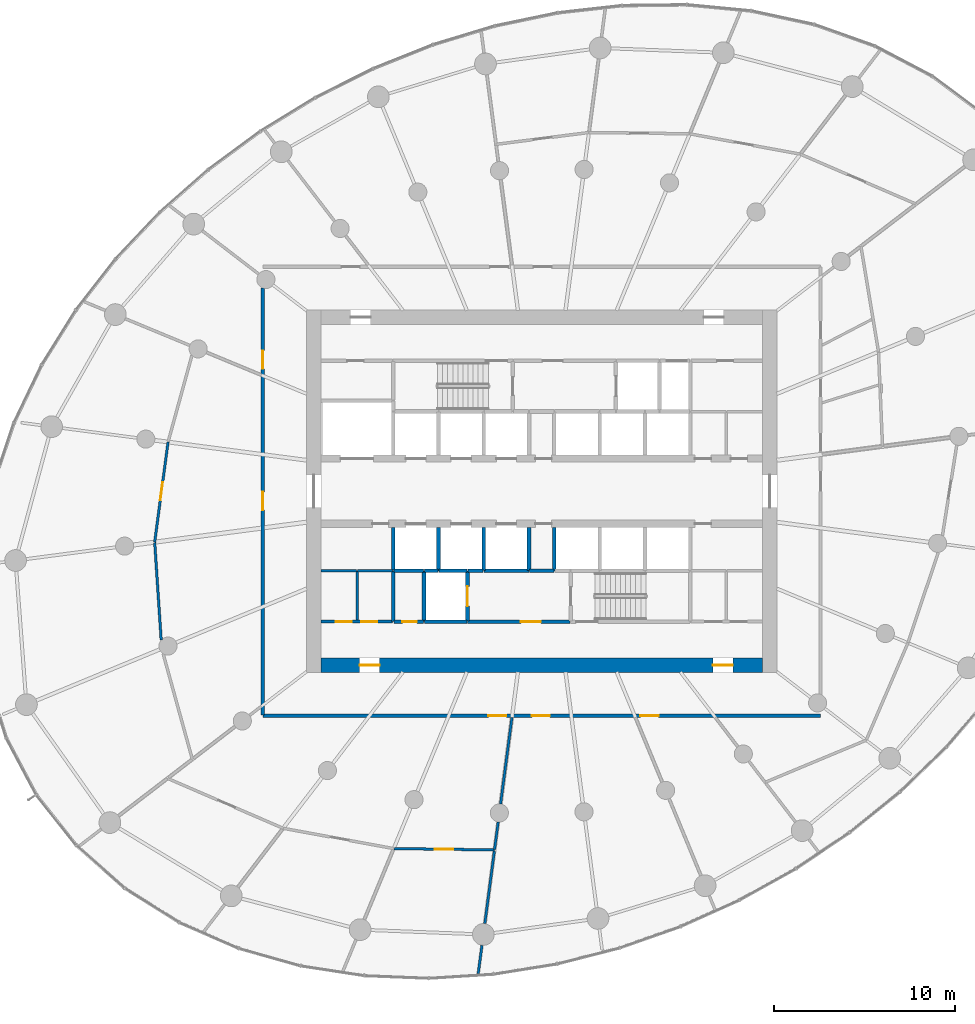
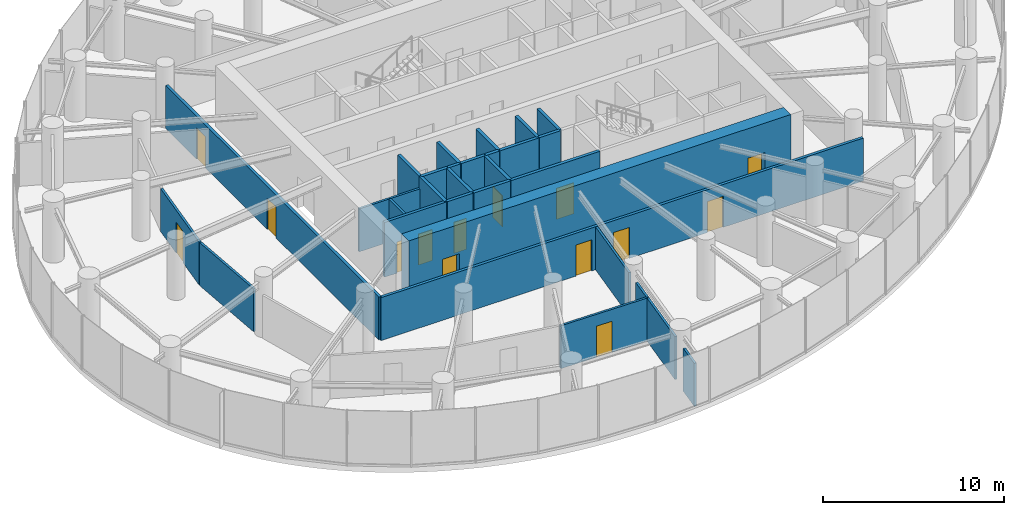
# One storey, part 10 of 17: 31 walls, 14 doors, 14 openings.
"""IFC4 building model written with IfcOpenShell, lengths in metres."""

from ifc_helpers import new_model, si_unit, direction, frame, frame_2d, origin, place, context, subcontext, project, spatial, rectangle, extrude, source, transform, mapped, material, layer, layer_set, type_object, element, fill, save


model = new_model("IFC4")

# Units and contexts
model_context = context("Model", 3, precision=1e-05, world=origin(), true_north=direction((0.0, 1.0)))
body_context = subcontext(model_context, "Body", "Model", "MODEL_VIEW")
ifc_project = project(units=[si_unit("LENGTHUNIT", "METRE"), si_unit("AREAUNIT", "SQUARE_METRE"), si_unit("VOLUMEUNIT", "CUBIC_METRE"), si_unit("PLANEANGLEUNIT", "RADIAN"), si_unit("MASSUNIT", "GRAM", prefix="KILO")], contexts=[model_context])

# Site, building, storey
site_placement = place(None, origin())
site = spatial("IfcSite", under=ifc_project, at=site_placement, CompositionType="ELEMENT")
building_placement = place(site_placement, origin())
building = spatial("IfcBuilding", under=site, at=building_placement, Name="Spindrift Exchange Tower", CompositionType="ELEMENT")
storey_placement = place(building_placement, frame((0.0, 0.0, 112.60009765625)))
storey = spatial("IfcBuildingStorey", under=building, at=storey_placement, Name="L26", CompositionType="ELEMENT", Elevation=112.60009765625)

# Wall, openings, doors
ifc_material_1 = material(Name="Concrete 65 MPa", Category="concrete")
ifc_layer_1 = layer(ifc_material_1, 0.800048828125)
ifc_layer_set_1 = layer_set([ifc_layer_1], Name="RC Core Wall 800 Concrete 65 MPa")
wall_type_1 = type_object("IfcWallType", Name="RC Core Wall 800 Concrete 65 MPa", PredefinedType="SHEAR", material=ifc_layer_set_1)
wall_1_placement = place(storey_placement, frame((39.800048828125, 38.39990234375, 0.0), z_axis=(0.0, 0.0, 1.0), x_axis=(1.0, 0.0, 0.0)))
wall_1 = element("IfcWall", 1, at=wall_1_placement, inside=storey, type_object=wall_type_1, Name="Core wall S L26", PredefinedType="SHEAR", context=body_context, shape_type="SweptSolid", body=[
    extrude(rectangle(XDim=24.39990234375, YDim=0.800048828125, at=frame_2d((12.199951171875, 0.0))), origin(), (0.0, 0.0, 1.0), 4.099853515625),
])
opening_1_placement = place(wall_1_placement, frame((21.64990234375, 0.0, 0.0)))
opening_1 = element("IfcOpeningElement", 2, at=opening_1_placement, cuts=wall_1, Name="Opening L26-D22", PredefinedType="OPENING", context=body_context, shape_type="SweptSolid", body=[
    extrude(rectangle(XDim=1.10009765625, YDim=2.10009765625, at=frame_2d((0.550048828125, 1.050048828125))), frame((0.0, 0.409912109375, 0.0), z_axis=(0.0, -1.0, 0.0), x_axis=(1.0, 0.0, 0.0)), (0.0, 0.0, 1.0), 0.820068359375),
])
opening_2_placement = place(wall_1_placement, frame((2.14990234375, 0.0, 0.0)))
opening_2 = element("IfcOpeningElement", 3, at=opening_2_placement, cuts=wall_1, Name="Opening L26-D23", PredefinedType="OPENING", context=body_context, shape_type="SweptSolid", body=[
    extrude(rectangle(XDim=1.10009765625, YDim=2.10009765625, at=frame_2d((0.550048828125, 1.050048828125))), frame((0.0, 0.409912109375, 0.0), z_axis=(0.0, -1.0, 0.0), x_axis=(1.0, 0.0, 0.0)), (0.0, 0.0, 1.0), 0.820068359375),
])
ifc_material_2 = material(Name="Steel fire door", Category="steel")
door_type_1 = type_object("IfcDoorType", Name="DR-STAIR-1100", OperationType="NOTDEFINED", PredefinedType="DOOR", material=ifc_material_2)
shared_shape_1 = source(origin(), body_context, "Body", "SweptSolid", [
    extrude(rectangle(XDim=1.10009765625, YDim=2.10009765625, at=frame_2d((0.550048828125, 1.050048828125))), frame((0.0, 0.02490234375, 0.0), z_axis=(0.0, -1.0, 0.0), x_axis=(1.0, 0.0, 0.0)), (0.0, 0.0, 1.0), 0.050048828125),
])
door_1_placement = place(opening_1_placement, origin())
door_1 = element("IfcDoor", 4, at=door_1_placement, inside=storey, type_object=door_type_1, Name="L26 Stair door 22", OperationType="SINGLE_SWING_RIGHT", OverallHeight=2.10009765625, OverallWidth=1.10009765625, PredefinedType="DOOR", context=body_context, shape_type="MappedRepresentation", body=[
    mapped(shared_shape_1, transform((0.0, 0.0, 0.0), scale=1.0)),
])
fill(opening_1, door_1)
door_2_placement = place(opening_2_placement, origin())
door_2 = element("IfcDoor", 5, at=door_2_placement, inside=storey, type_object=door_type_1, Name="L26 Stair door 23", OperationType="SINGLE_SWING_LEFT", OverallHeight=2.10009765625, OverallWidth=1.10009765625, PredefinedType="DOOR", context=body_context, shape_type="MappedRepresentation", body=[
    mapped(shared_shape_1, transform((0.0, 0.0, 0.0), scale=1.0)),
])
fill(opening_2, door_2)

ifc_material_3 = material(Name="Fire-rated plasterboard partition", Category="gypsum")
ifc_layer_2 = layer(ifc_material_3, 0.179931640625)
ifc_layer_set_2 = layer_set([ifc_layer_2], Name="W-CORR-180")
wall_type_2 = type_object("IfcWallType", Name="W-CORR-180", PredefinedType="PARTITIONING", material=ifc_layer_set_2)
wall_2_placement = place(storey_placement, frame((39.820068359375, 40.800048828125, 0.0), z_axis=(0.0, 0.0, 1.0), x_axis=(1.0, 0.0, 0.0)))
wall_2 = element("IfcWall", 6, at=wall_2_placement, inside=storey, type_object=wall_type_2, Name="L26 Partition wall 63", PredefinedType="PARTITIONING", context=body_context, shape_type="SweptSolid", body=[
    extrude(rectangle(XDim=3.949951171875, YDim=0.179931640625, at=frame_2d((1.97509765625, 0.0))), origin(), (0.0, 0.0, 1.0), 3.699951171875),
])
opening_3_placement = place(wall_2_placement, frame((0.800048828125, 0.0, 0.0)))
opening_3 = element("IfcOpeningElement", 7, at=opening_3_placement, cuts=wall_2, Name="Opening L26-D47", PredefinedType="OPENING", context=body_context, shape_type="SweptSolid", body=[
    extrude(rectangle(XDim=0.89990234375, YDim=2.10009765625, at=frame_2d((0.449951171875, 1.050048828125))), frame((0.0, 0.099853515625, 0.0), z_axis=(0.0, -1.0, 0.0), x_axis=(1.0, 0.0, 0.0)), (0.0, 0.0, 1.0), 0.199951171875),
])
opening_4_placement = place(wall_2_placement, frame((2.199951171875, 0.0, 0.0)))
opening_4 = element("IfcOpeningElement", 8, at=opening_4_placement, cuts=wall_2, Name="Opening L26-D48", PredefinedType="OPENING", context=body_context, shape_type="SweptSolid", body=[
    extrude(rectangle(XDim=0.89990234375, YDim=2.10009765625, at=frame_2d((0.449951171875, 1.050048828125))), frame((0.0, 0.099853515625, 0.0), z_axis=(0.0, -1.0, 0.0), x_axis=(1.0, 0.0, 0.0)), (0.0, 0.0, 1.0), 0.199951171875),
])
ifc_material_4 = material(Name="Steel access door", Category="steel")
door_type_2 = type_object("IfcDoorType", Name="DR-RISER-900", OperationType="NOTDEFINED", PredefinedType="DOOR", material=ifc_material_4)
shared_shape_2 = source(origin(), body_context, "Body", "SweptSolid", [
    extrude(rectangle(XDim=0.89990234375, YDim=2.10009765625, at=frame_2d((0.449951171875, 1.050048828125))), frame((0.0, 0.02490234375, 0.0), z_axis=(0.0, -1.0, 0.0), x_axis=(1.0, 0.0, 0.0)), (0.0, 0.0, 1.0), 0.050048828125),
])
door_3_placement = place(opening_3_placement, origin())
door_3 = element("IfcDoor", 9, at=door_3_placement, inside=storey, type_object=door_type_2, Name="L26 Riser door 47", OperationType="SINGLE_SWING_LEFT", OverallHeight=2.10009765625, OverallWidth=0.89990234375, PredefinedType="DOOR", context=body_context, shape_type="MappedRepresentation", body=[
    mapped(shared_shape_2, transform((0.0, 0.0, 0.0), scale=1.0)),
])
fill(opening_3, door_3)
door_4_placement = place(opening_4_placement, origin())
door_4 = element("IfcDoor", 10, at=door_4_placement, inside=storey, type_object=door_type_2, Name="L26 Riser door 48", OperationType="SINGLE_SWING_RIGHT", OverallHeight=2.10009765625, OverallWidth=0.89990234375, PredefinedType="DOOR", context=body_context, shape_type="MappedRepresentation", body=[
    mapped(shared_shape_2, transform((0.0, 0.0, 0.0), scale=1.0)),
])
fill(opening_4, door_4)

# Walls
ifc_layer_3 = layer(ifc_material_3, 0.139892578125)
ifc_layer_set_3 = layer_set([ifc_layer_3], Name="W-PART-140")
wall_type_3 = type_object("IfcWallType", Name="W-PART-140", PredefinedType="PARTITIONING", material=ifc_layer_set_3)
wall_3_placement = place(storey_placement, frame((41.800048828125, 40.889892578125, 0.0), z_axis=(0.0, 0.0, 1.0), x_axis=(0.0, 1.0, 0.0)))
element("IfcWall", 11, at=wall_3_placement, inside=storey, type_object=wall_type_3, Name="L26 Partition wall 104", PredefinedType="PARTITIONING", context=body_context, shape_type="SweptSolid", body=[
    extrude(rectangle(XDim=2.710205078125, YDim=0.139892578125, at=frame_2d((1.35498046875, 0.0))), origin(), (0.0, 0.0, 1.0), 2.89990234375),
])
wall_4_placement = place(storey_placement, frame((43.77001953125, 43.60009765625, 0.0), z_axis=(0.0, 0.0, 1.0), x_axis=(-1.0, 0.0, 0.0)))
element("IfcWall", 12, at=wall_4_placement, inside=storey, type_object=wall_type_3, Name="L26 Partition wall 110", PredefinedType="PARTITIONING", context=body_context, shape_type="SweptSolid", body=[
    extrude(rectangle(XDim=1.93994140625, YDim=0.139892578125, at=frame_2d((0.969970703125, 0.0))), origin(), (0.0, 0.0, 1.0), 2.89990234375),
])
wall_5_placement = place(storey_placement, frame((41.77001953125, 43.60009765625, 0.0), z_axis=(0.0, 0.0, 1.0), x_axis=(-1.0, 0.0, 0.0)))
element("IfcWall", 13, at=wall_5_placement, inside=storey, type_object=wall_type_3, Name="L26 Partition wall 115", PredefinedType="PARTITIONING", context=body_context, shape_type="SweptSolid", body=[
    extrude(rectangle(XDim=1.949951171875, YDim=0.139892578125, at=frame_2d((0.97509765625, 0.0))), origin(), (0.0, 0.0, 1.0), 2.89990234375),
])

# Wall, opening, door
ifc_layer_4 = layer(ifc_material_3, 0.139892578125)
ifc_layer_set_4 = layer_set([ifc_layer_4], Name="W-PLANT-140")
wall_type_4 = type_object("IfcWallType", Name="W-PLANT-140", PredefinedType="PARTITIONING", material=ifc_layer_set_4)
wall_6_placement = place(storey_placement, frame((30.626953125, 45.186279296875, 0.0), z_axis=(0.0, 0.0, 1.0), x_axis=(0.132367219545, 0.991200746161, 0.0)))
wall_6 = element("IfcWall", 14, at=wall_6_placement, inside=storey, type_object=wall_type_4, Name="L26 Partition wall 73", PredefinedType="PARTITIONING", context=body_context, shape_type="SweptSolid", body=[
    extrude(rectangle(XDim=5.579345703125, YDim=0.139892578125, at=frame_2d((2.78955078125, 0.0))), origin(), (0.0, 0.0, 1.0), 2.89990234375),
])
opening_5_placement = place(wall_6_placement, frame((2.32958984375, 0.0, 0.0)))
opening_5 = element("IfcOpeningElement", 15, at=opening_5_placement, cuts=wall_6, Name="Opening L26-D37", PredefinedType="OPENING", context=body_context, shape_type="SweptSolid", body=[
    extrude(rectangle(XDim=1.0, YDim=2.10009765625, at=frame_2d((0.5, 1.050048828125))), frame((0.0, 0.079833984375, 0.0), z_axis=(0.0, -1.0, 0.0), x_axis=(1.0, 0.0, 0.0)), (0.0, 0.0, 1.0), 0.159912109375),
])
ifc_material_5 = material(Name="Timber-core fire door", Category="wood")
door_type_3 = type_object("IfcDoorType", Name="DR-ROOM-1000", OperationType="NOTDEFINED", PredefinedType="DOOR", material=ifc_material_5)
shared_shape_3 = source(origin(), body_context, "Body", "SweptSolid", [
    extrude(rectangle(XDim=1.0, YDim=2.10009765625, at=frame_2d((0.5, 1.050048828125))), frame((0.0, 0.02490234375, 0.0), z_axis=(0.0, -1.0, 0.0), x_axis=(1.0, 0.0, 0.0)), (0.0, 0.0, 1.0), 0.050048828125),
])
door_5_placement = place(opening_5_placement, origin())
door_5 = element("IfcDoor", 16, at=door_5_placement, inside=storey, type_object=door_type_3, Name="L26 Door 37", OperationType="SINGLE_SWING_LEFT", OverallHeight=2.10009765625, OverallWidth=1.0, PredefinedType="DOOR", context=body_context, shape_type="MappedRepresentation", body=[
    mapped(shared_shape_3, transform((0.0, 0.0, 0.0), scale=1.0)),
])
fill(opening_5, door_5)

wall_7_placement = place(storey_placement, frame((49.392333984375, 28.192626953125, 0.0), z_axis=(0.0, 0.0, 1.0), x_axis=(-0.999914253275, 0.013095270007, 0.0)))
wall_7 = element("IfcWall", 17, at=wall_7_placement, inside=storey, type_object=wall_type_4, Name="L26 Partition wall 75", PredefinedType="PARTITIONING", context=body_context, shape_type="SweptSolid", body=[
    extrude(rectangle(XDim=5.537109375, YDim=0.139892578125, at=frame_2d((2.7685546875, 0.0))), origin(), (0.0, 0.0, 1.0), 2.89990234375),
])
opening_6_placement = place(wall_7_placement, frame((2.287109375, 0.0, 0.0)))
opening_6 = element("IfcOpeningElement", 18, at=opening_6_placement, cuts=wall_7, Name="Opening L26-D41", PredefinedType="OPENING", context=body_context, shape_type="SweptSolid", body=[
    extrude(rectangle(XDim=1.0, YDim=2.10009765625, at=frame_2d((0.5, 1.050048828125))), frame((0.0, 0.079833984375, 0.0), z_axis=(0.0, -1.0, 0.0), x_axis=(1.0, 0.0, 0.0)), (0.0, 0.0, 1.0), 0.159912109375),
])
door_6_placement = place(opening_6_placement, origin())
door_6 = element("IfcDoor", 19, at=door_6_placement, inside=storey, type_object=door_type_3, Name="L26 Door 41", OperationType="SINGLE_SWING_LEFT", OverallHeight=2.10009765625, OverallWidth=1.0, PredefinedType="DOOR", context=body_context, shape_type="MappedRepresentation", body=[
    mapped(shared_shape_3, transform((0.0, 0.0, 0.0), scale=1.0)),
])
fill(opening_6, door_6)

# Walls
wall_8_placement = place(storey_placement, frame((30.62890625, 45.15625, 0.0), z_axis=(0.0, 0.0, 1.0), x_axis=(0.06605528981, -0.997815964338, 0.0)))
element("IfcWall", 20, at=wall_8_placement, inside=storey, type_object=wall_type_4, Name="L26 Partition wall 76", PredefinedType="PARTITIONING", context=body_context, shape_type="SweptSolid", body=[
    extrude(rectangle(XDim=5.38134765625, YDim=0.139892578125, at=frame_2d((2.690673828125, 0.0))), origin(), (0.0, 0.0, 1.0), 2.89990234375),
])
wall_9_placement = place(storey_placement, frame((50.355712890625, 35.510009765625, 0.0), z_axis=(0.0, 0.0, 1.0), x_axis=(-0.130523979823, -0.991445152639, 0.0)))
element("IfcWall", 21, at=wall_9_placement, inside=storey, type_object=wall_type_4, Name="L26 Partition wall 83", PredefinedType="PARTITIONING", context=body_context, shape_type="SweptSolid", body=[
    extrude(rectangle(XDim=4.818359375, YDim=0.139892578125, at=frame_2d((2.4091796875, 0.0))), origin(), (0.0, 0.0, 1.0), 2.89990234375),
])
wall_10_placement = place(storey_placement, frame((49.383056640625, 28.122802734375, 0.0), z_axis=(0.0, 0.0, 1.0), x_axis=(-0.130510858064, -0.991446880033, 0.0)))
element("IfcWall", 22, at=wall_10_placement, inside=storey, type_object=wall_type_4, Name="L26 Partition wall 89", PredefinedType="PARTITIONING", context=body_context, shape_type="SweptSolid", body=[
    extrude(rectangle(XDim=4.034912109375, YDim=0.139892578125, at=frame_2d((2.017578125, 0.0))), origin(), (0.0, 0.0, 1.0), 2.89990234375),
])
wall_11_placement = place(storey_placement, frame((48.69873046875, 22.924072265625, 0.0), z_axis=(0.0, 0.0, 1.0), x_axis=(-0.130526351537, -0.991444840399, 0.0)))
element("IfcWall", 23, at=wall_11_placement, inside=storey, type_object=wall_type_4, Name="L26 Partition wall 121", PredefinedType="PARTITIONING", context=body_context, shape_type="SweptSolid", body=[
    extrude(rectangle(XDim=1.582275390625, YDim=0.139892578125, at=frame_2d((0.791015625, 0.0))), origin(), (0.0, 0.0, 1.0), 2.89990234375),
])
wall_12_placement = place(storey_placement, frame((49.594970703125, 29.732666015625, 0.0), z_axis=(0.0, 0.0, 1.0), x_axis=(-0.130462804468, -0.991453204468, 0.0)))
element("IfcWall", 24, at=wall_12_placement, inside=storey, type_object=wall_type_4, Name="L26 Partition wall 123", PredefinedType="PARTITIONING", context=body_context, shape_type="SweptSolid", body=[
    extrude(rectangle(XDim=1.523193359375, YDim=0.139892578125, at=frame_2d((0.76171875, 0.0))), origin(), (0.0, 0.0, 1.0), 2.89990234375),
])

# Wall, openings, doors
ifc_layer_5 = layer(ifc_material_3, 0.179931640625)
ifc_layer_set_5 = layer_set([ifc_layer_5], Name="W-PLANT-180")
wall_type_5 = type_object("IfcWallType", Name="W-PLANT-180", PredefinedType="PARTITIONING", material=ifc_layer_set_5)
wall_13_placement = place(storey_placement, frame((67.39990234375, 35.60009765625, 0.0), z_axis=(0.0, 0.0, 1.0), x_axis=(-1.0, 0.0, 0.0)))
wall_13 = element("IfcWall", 25, at=wall_13_placement, inside=storey, type_object=wall_type_5, Name="L26 Partition wall 57", PredefinedType="PARTITIONING", context=body_context, shape_type="SweptSolid", body=[
    extrude(rectangle(XDim=30.7998046875, YDim=0.179931640625, at=frame_2d((15.39990234375, 0.0))), origin(), (0.0, 0.0, 1.0), 2.89990234375),
])
opening_7_placement = place(wall_13_placement, frame((17.35009765625, 0.0, 0.0)))
opening_7 = element("IfcOpeningElement", 26, at=opening_7_placement, cuts=wall_13, Name="Opening L26-D38", PredefinedType="OPENING", context=body_context, shape_type="SweptSolid", body=[
    extrude(rectangle(XDim=1.0, YDim=2.10009765625, at=frame_2d((0.5, 1.050048828125))), frame((0.0, 0.099853515625, 0.0), z_axis=(0.0, -1.0, 0.0), x_axis=(1.0, 0.0, 0.0)), (0.0, 0.0, 1.0), 0.199951171875),
])
opening_8_placement = place(wall_13_placement, frame((14.949951171875, 0.0, 0.0)))
opening_8 = element("IfcOpeningElement", 27, at=opening_8_placement, cuts=wall_13, Name="Opening L26-D42", PredefinedType="OPENING", context=body_context, shape_type="SweptSolid", body=[
    extrude(rectangle(XDim=1.0, YDim=2.10009765625, at=frame_2d((0.5, 1.050048828125))), frame((0.0, 0.099853515625, 0.0), z_axis=(0.0, -1.0, 0.0), x_axis=(1.0, 0.0, 0.0)), (0.0, 0.0, 1.0), 0.199951171875),
])
opening_9_placement = place(wall_13_placement, frame((8.949951171875, 0.0, 0.0)))
opening_9 = element("IfcOpeningElement", 28, at=opening_9_placement, cuts=wall_13, Name="Opening L26-D43", PredefinedType="OPENING", context=body_context, shape_type="SweptSolid", body=[
    extrude(rectangle(XDim=1.0, YDim=2.10009765625, at=frame_2d((0.5, 1.050048828125))), frame((0.0, 0.099853515625, 0.0), z_axis=(0.0, -1.0, 0.0), x_axis=(1.0, 0.0, 0.0)), (0.0, 0.0, 1.0), 0.199951171875),
])
door_7_placement = place(opening_7_placement, origin())
door_7 = element("IfcDoor", 29, at=door_7_placement, inside=storey, type_object=door_type_3, Name="L26 Door 38", OperationType="SINGLE_SWING_RIGHT", OverallHeight=2.10009765625, OverallWidth=1.0, PredefinedType="DOOR", context=body_context, shape_type="MappedRepresentation", body=[
    mapped(shared_shape_3, transform((0.0, 0.0, 0.0), scale=1.0)),
])
fill(opening_7, door_7)
door_8_placement = place(opening_8_placement, origin())
door_8 = element("IfcDoor", 30, at=door_8_placement, inside=storey, type_object=door_type_3, Name="L26 Door 42", OperationType="SINGLE_SWING_RIGHT", OverallHeight=2.10009765625, OverallWidth=1.0, PredefinedType="DOOR", context=body_context, shape_type="MappedRepresentation", body=[
    mapped(shared_shape_3, transform((0.0, 0.0, 0.0), scale=1.0)),
])
fill(opening_8, door_8)
door_9_placement = place(opening_9_placement, origin())
door_9 = element("IfcDoor", 31, at=door_9_placement, inside=storey, type_object=door_type_3, Name="L26 Door 43", OperationType="SINGLE_SWING_LEFT", OverallHeight=2.10009765625, OverallWidth=1.0, PredefinedType="DOOR", context=body_context, shape_type="MappedRepresentation", body=[
    mapped(shared_shape_3, transform((0.0, 0.0, 0.0), scale=1.0)),
])
fill(opening_9, door_9)

wall_14_placement = place(storey_placement, frame((36.60009765625, 35.6298828125, 0.0), z_axis=(0.0, 0.0, 1.0), x_axis=(0.0, 1.0, 0.0)))
wall_14 = element("IfcWall", 32, at=wall_14_placement, inside=storey, type_object=wall_type_5, Name="L26 Partition wall 60", PredefinedType="PARTITIONING", context=body_context, shape_type="SweptSolid", body=[
    extrude(rectangle(XDim=23.58251953125, YDim=0.179931640625, at=frame_2d((11.791259765625, 0.0))), origin(), (0.0, 0.0, 1.0), 2.89990234375),
])
opening_10_placement = place(wall_14_placement, frame((19.132568359375, 0.0, 0.0)))
opening_10 = element("IfcOpeningElement", 33, at=opening_10_placement, cuts=wall_14, Name="Opening L26-D35", PredefinedType="OPENING", context=body_context, shape_type="SweptSolid", body=[
    extrude(rectangle(XDim=1.0, YDim=2.10009765625, at=frame_2d((0.5, 1.050048828125))), frame((0.0, 0.099853515625, 0.0), z_axis=(0.0, -1.0, 0.0), x_axis=(1.0, 0.0, 0.0)), (0.0, 0.0, 1.0), 0.199951171875),
])
opening_11_placement = place(wall_14_placement, frame((11.33251953125, 0.0, 0.0)))
opening_11 = element("IfcOpeningElement", 34, at=opening_11_placement, cuts=wall_14, Name="Opening L26-D36", PredefinedType="OPENING", context=body_context, shape_type="SweptSolid", body=[
    extrude(rectangle(XDim=1.0, YDim=2.10009765625, at=frame_2d((0.5, 1.050048828125))), frame((0.0, 0.099853515625, 0.0), z_axis=(0.0, -1.0, 0.0), x_axis=(1.0, 0.0, 0.0)), (0.0, 0.0, 1.0), 0.199951171875),
])
door_10_placement = place(opening_10_placement, origin())
door_10 = element("IfcDoor", 35, at=door_10_placement, inside=storey, type_object=door_type_3, Name="L26 Door 35", OperationType="SINGLE_SWING_LEFT", OverallHeight=2.10009765625, OverallWidth=1.0, PredefinedType="DOOR", context=body_context, shape_type="MappedRepresentation", body=[
    mapped(shared_shape_3, transform((0.0, 0.0, 0.0), scale=1.0)),
])
fill(opening_10, door_10)
door_11_placement = place(opening_11_placement, origin())
door_11 = element("IfcDoor", 36, at=door_11_placement, inside=storey, type_object=door_type_3, Name="L26 Door 36", OperationType="SINGLE_SWING_RIGHT", OverallHeight=2.10009765625, OverallWidth=1.0, PredefinedType="DOOR", context=body_context, shape_type="MappedRepresentation", body=[
    mapped(shared_shape_3, transform((0.0, 0.0, 0.0), scale=1.0)),
])
fill(opening_11, door_11)

# Walls
ifc_material_6 = material(Name="Concrete 40 MPa", Category="concrete")
ifc_layer_6 = layer(ifc_material_6, 0.199951171875)
ifc_layer_set_6 = layer_set([ifc_layer_6], Name="W-SHAFT-200")
wall_type_6 = type_object("IfcWallType", Name="W-SHAFT-200", PredefinedType="SOLIDWALL", material=ifc_layer_set_6)
for number, where, z_axis, x_axis, name in (
    (37, (43.800048828125, 43.60009765625, 0.0), (0.0, 0.0, 1.0), (0.0, -1.0, 0.0), "L26 Shaft wall 6"),
    (38, (45.5, 43.60009765625, 0.0), (0.0, 0.0, 1.0), (0.0, -1.0, 0.0), "L26 Shaft wall 7"),
):
    element("IfcWall", number, at=place(storey_placement, frame(where, z_axis=z_axis, x_axis=x_axis)), inside=storey, type_object=wall_type_6, Name=name, PredefinedType="SOLIDWALL", context=body_context, shape_type="SweptSolid", body=[
        extrude(rectangle(XDim=2.800048828125, YDim=0.199951171875, at=frame_2d((1.39990234375, 0.0))), origin(), (0.0, 0.0, 1.0), 3.699951171875),
    ])

# Wall, opening, door
wall_15_placement = place(storey_placement, frame((47.89990234375, 40.830078125, 0.0), z_axis=(0.0, 0.0, 1.0), x_axis=(0.0, 1.0, 0.0)))
wall_15 = element("IfcWall", 39, at=wall_15_placement, inside=storey, type_object=wall_type_6, Name="L26 Shaft wall 8", PredefinedType="SOLIDWALL", context=body_context, shape_type="SweptSolid", body=[
    extrude(rectangle(XDim=2.77001953125, YDim=0.199951171875, at=frame_2d((1.385009765625, 0.0))), origin(), (0.0, 0.0, 1.0), 3.699951171875),
])
opening_12_placement = place(wall_15_placement, frame((0.820068359375, 0.0, 0.0)))
opening_12 = element("IfcOpeningElement", 40, at=opening_12_placement, cuts=wall_15, Name="Opening L26-D10", PredefinedType="OPENING", context=body_context, shape_type="SweptSolid", body=[
    extrude(rectangle(XDim=1.10009765625, YDim=2.10009765625, at=frame_2d((0.550048828125, 1.050048828125))), frame((0.0, 0.10986328125, 0.0), z_axis=(0.0, -1.0, 0.0), x_axis=(1.0, 0.0, 0.0)), (0.0, 0.0, 1.0), 0.219970703125),
])
ifc_material_7 = material(Name="Stainless steel landing door", Category="steel")
door_type_4 = type_object("IfcDoorType", Name="DR-LANDING-1100-SL", OperationType="DOUBLE_DOOR_SLIDING", PredefinedType="USERDEFINED", material=ifc_material_7)
shared_shape_4 = source(origin(), body_context, "Body", "SweptSolid", [
    extrude(rectangle(XDim=1.10009765625, YDim=2.10009765625, at=frame_2d((0.550048828125, 1.050048828125))), frame((0.0, 0.02490234375, 0.0), z_axis=(0.0, -1.0, 0.0), x_axis=(1.0, 0.0, 0.0)), (0.0, 0.0, 1.0), 0.050048828125),
])
door_12_placement = place(opening_12_placement, origin())
door_12 = element("IfcDoor", 41, at=door_12_placement, inside=storey, type_object=door_type_4, Name="L26 Lift landing door 10", ObjectType="LANDING DOOR", OperationType="DOUBLE_DOOR_SLIDING", OverallHeight=2.10009765625, OverallWidth=1.10009765625, PredefinedType="USERDEFINED", context=body_context, shape_type="MappedRepresentation", body=[
    mapped(shared_shape_4, transform((0.0, 0.0, 0.0), scale=1.0)),
])
fill(opening_12, door_12)

# Walls
wall_16_placement = place(storey_placement, frame((48.800048828125, 43.60009765625, 0.0), z_axis=(0.0, 0.0, 1.0), x_axis=(1.0, 0.0, 0.0)))
element("IfcWall", 42, at=wall_16_placement, inside=storey, type_object=wall_type_6, Name="L26 Shaft wall 17", PredefinedType="SOLIDWALL", context=body_context, shape_type="SweptSolid", body=[
    extrude(rectangle(XDim=2.5, YDim=0.199951171875, at=frame_2d((1.25, 0.0))), origin(), (0.0, 0.0, 1.0), 3.699951171875),
])
wall_17_placement = place(storey_placement, frame((45.530029296875, 40.800048828125, 0.0), z_axis=(0.0, 0.0, 1.0), x_axis=(1.0, 0.0, 0.0)))
element("IfcWall", 43, at=wall_17_placement, inside=storey, type_object=wall_type_6, Name="L26 Shaft wall 21", PredefinedType="SOLIDWALL", context=body_context, shape_type="SweptSolid", body=[
    extrude(rectangle(XDim=2.340087890625, YDim=0.199951171875, at=frame_2d((1.169921875, 0.0))), origin(), (0.0, 0.0, 1.0), 3.699951171875),
])
wall_18_placement = place(storey_placement, frame((43.800048828125, 45.989990234375, 0.0), z_axis=(0.0, 0.0, 1.0), x_axis=(0.0, -1.0, 0.0)))
element("IfcWall", 44, at=wall_18_placement, inside=storey, type_object=wall_type_6, Name="L26 Shaft wall 23", PredefinedType="SOLIDWALL", context=body_context, shape_type="SweptSolid", body=[
    extrude(rectangle(XDim=2.360107421875, YDim=0.199951171875, at=frame_2d((1.18017578125, 0.0))), origin(), (0.0, 0.0, 1.0), 3.699951171875),
])
wall_19_placement = place(storey_placement, frame((46.300048828125, 43.60009765625, 0.0), z_axis=(0.0, 0.0, 1.0), x_axis=(0.0, 1.0, 0.0)))
element("IfcWall", 45, at=wall_19_placement, inside=storey, type_object=wall_type_6, Name="L26 Shaft wall 25", PredefinedType="SOLIDWALL", context=body_context, shape_type="SweptSolid", body=[
    extrude(rectangle(XDim=2.389892578125, YDim=0.199951171875, at=frame_2d((1.19482421875, 0.0))), origin(), (0.0, 0.0, 1.0), 3.699951171875),
])
for number, where, z_axis, x_axis, name in (
    (46, (48.800048828125, 43.6298828125, 0.0), (0.0, 0.0, 1.0), (0.0, 1.0, 0.0), "L26 Shaft wall 27"),
    (47, (51.300048828125, 43.6298828125, 0.0), (0.0, 0.0, 1.0), (0.0, 1.0, 0.0), "L26 Shaft wall 29"),
):
    element("IfcWall", number, at=place(storey_placement, frame(where, z_axis=z_axis, x_axis=x_axis)), inside=storey, type_object=wall_type_6, Name=name, PredefinedType="SOLIDWALL", context=body_context, shape_type="SweptSolid", body=[
        extrude(rectangle(XDim=2.360107421875, YDim=0.199951171875, at=frame_2d((1.18017578125, 0.0))), origin(), (0.0, 0.0, 1.0), 3.699951171875),
    ])
wall_20_placement = place(storey_placement, frame((52.699951171875, 45.989990234375, 0.0), z_axis=(0.0, 0.0, 1.0), x_axis=(0.0, -1.0, 0.0)))
element("IfcWall", 48, at=wall_20_placement, inside=storey, type_object=wall_type_6, Name="L26 Shaft wall 31", PredefinedType="SOLIDWALL", context=body_context, shape_type="SweptSolid", body=[
    extrude(rectangle(XDim=2.389892578125, YDim=0.199951171875, at=frame_2d((1.19482421875, 0.0))), origin(), (0.0, 0.0, 1.0), 3.699951171875),
])
wall_21_placement = place(storey_placement, frame((43.830078125, 43.60009765625, 0.0), z_axis=(0.0, 0.0, 1.0), x_axis=(1.0, 0.0, 0.0)))
element("IfcWall", 49, at=wall_21_placement, inside=storey, type_object=wall_type_6, Name="L26 Shaft wall 40", PredefinedType="SOLIDWALL", context=body_context, shape_type="SweptSolid", body=[
    extrude(rectangle(XDim=1.639892578125, YDim=0.199951171875, at=frame_2d((0.81982421875, 0.0))), origin(), (0.0, 0.0, 1.0), 3.699951171875),
])

# Wall, opening, door
wall_22_placement = place(storey_placement, frame((43.830078125, 40.800048828125, 0.0), z_axis=(0.0, 0.0, 1.0), x_axis=(1.0, 0.0, 0.0)))
wall_22 = element("IfcWall", 50, at=wall_22_placement, inside=storey, type_object=wall_type_6, Name="L26 Shaft wall 41", PredefinedType="SOLIDWALL", context=body_context, shape_type="SweptSolid", body=[
    extrude(rectangle(XDim=1.639892578125, YDim=0.199951171875, at=frame_2d((0.81982421875, 0.0))), origin(), (0.0, 0.0, 1.0), 3.699951171875),
])
opening_13_placement = place(wall_22_placement, frame((0.469970703125, 0.0, 0.0)))
opening_13 = element("IfcOpeningElement", 51, at=opening_13_placement, cuts=wall_22, Name="Opening L26-D19", PredefinedType="OPENING", context=body_context, shape_type="SweptSolid", body=[
    extrude(rectangle(XDim=0.800048828125, YDim=2.10009765625, at=frame_2d((0.39990234375, 1.050048828125))), frame((0.0, 0.10986328125, 0.0), z_axis=(0.0, -1.0, 0.0), x_axis=(1.0, 0.0, 0.0)), (0.0, 0.0, 1.0), 0.219970703125),
])
door_type_5 = type_object("IfcDoorType", Name="DR-RISER-800", OperationType="NOTDEFINED", PredefinedType="DOOR", material=ifc_material_4)
shared_shape_5 = source(origin(), body_context, "Body", "SweptSolid", [
    extrude(rectangle(XDim=0.800048828125, YDim=2.10009765625, at=frame_2d((0.39990234375, 1.050048828125))), frame((0.0, 0.02490234375, 0.0), z_axis=(0.0, -1.0, 0.0), x_axis=(1.0, 0.0, 0.0)), (0.0, 0.0, 1.0), 0.050048828125),
])
door_13_placement = place(opening_13_placement, origin())
door_13 = element("IfcDoor", 52, at=door_13_placement, inside=storey, type_object=door_type_5, Name="L26 Riser door 19", OperationType="SINGLE_SWING_LEFT", OverallHeight=2.10009765625, OverallWidth=0.800048828125, PredefinedType="DOOR", context=body_context, shape_type="MappedRepresentation", body=[
    mapped(shared_shape_5, transform((0.0, 0.0, 0.0), scale=1.0)),
])
fill(opening_13, door_13)

# Walls
wall_23_placement = place(storey_placement, frame((46.330078125, 43.60009765625, 0.0), z_axis=(0.0, 0.0, 1.0), x_axis=(1.0, 0.0, 0.0)))
element("IfcWall", 53, at=wall_23_placement, inside=storey, type_object=wall_type_6, Name="L26 Shaft wall 44", PredefinedType="SOLIDWALL", context=body_context, shape_type="SweptSolid", body=[
    extrude(rectangle(XDim=1.5400390625, YDim=0.199951171875, at=frame_2d((0.77001953125, 0.0))), origin(), (0.0, 0.0, 1.0), 3.699951171875),
])
wall_24_placement = place(storey_placement, frame((52.669921875, 43.60009765625, 0.0), z_axis=(0.0, 0.0, 1.0), x_axis=(-1.0, 0.0, 0.0)))
element("IfcWall", 54, at=wall_24_placement, inside=storey, type_object=wall_type_6, Name="L26 Shaft wall 48", PredefinedType="SOLIDWALL", context=body_context, shape_type="SweptSolid", body=[
    extrude(rectangle(XDim=1.33984375, YDim=0.199951171875, at=frame_2d((0.669921875, 0.0))), origin(), (0.0, 0.0, 1.0), 3.699951171875),
])
wall_25_placement = place(storey_placement, frame((47.929931640625, 43.60009765625, 0.0), z_axis=(0.0, 0.0, 1.0), x_axis=(1.0, 0.0, 0.0)))
element("IfcWall", 55, at=wall_25_placement, inside=storey, type_object=wall_type_6, Name="L26 Shaft wall 50", PredefinedType="SOLIDWALL", context=body_context, shape_type="SweptSolid", body=[
    extrude(rectangle(XDim=0.840087890625, YDim=0.199951171875, at=frame_2d((0.419921875, 0.0))), origin(), (0.0, 0.0, 1.0), 3.699951171875),
])
wall_26_placement = place(storey_placement, frame((45.530029296875, 43.60009765625, 0.0), z_axis=(0.0, 0.0, 1.0), x_axis=(1.0, 0.0, 0.0)))
element("IfcWall", 56, at=wall_26_placement, inside=storey, type_object=wall_type_6, Name="L26 Shaft wall 54", PredefinedType="SOLIDWALL", context=body_context, shape_type="SweptSolid", body=[
    extrude(rectangle(XDim=0.739990234375, YDim=0.199951171875, at=frame_2d((0.3701171875, 0.0))), origin(), (0.0, 0.0, 1.0), 3.699951171875),
])

# Wall, opening, door
ifc_layer_7 = layer(ifc_material_6, 0.199951171875)
ifc_layer_set_7 = layer_set([ifc_layer_7], Name="W-SHAFT-200-LB")
wall_type_7 = type_object("IfcWallType", Name="W-SHAFT-200-LB", PredefinedType="SOLIDWALL", material=ifc_layer_set_7)
wall_27_placement = place(storey_placement, frame((47.89990234375, 40.800048828125, 0.0), z_axis=(0.0, 0.0, 1.0), x_axis=(1.0, 0.0, 0.0)))
wall_27 = element("IfcWall", 57, at=wall_27_placement, inside=storey, type_object=wall_type_7, Name="L26 Shaft wall 3", PredefinedType="SOLIDWALL", context=body_context, shape_type="SweptSolid", body=[
    extrude(rectangle(XDim=5.670166015625, YDim=0.199951171875, at=frame_2d((2.8349609375, 0.0))), origin(), (0.0, 0.0, 1.0), 3.699951171875),
])
opening_14_placement = place(wall_27_placement, frame((2.949951171875, 0.0, 0.0)))
opening_14 = element("IfcOpeningElement", 58, at=opening_14_placement, cuts=wall_27, Name="Opening L26-D18", PredefinedType="OPENING", context=body_context, shape_type="SweptSolid", body=[
    extrude(rectangle(XDim=1.10009765625, YDim=2.10009765625, at=frame_2d((0.550048828125, 1.050048828125))), frame((0.0, 0.10986328125, 0.0), z_axis=(0.0, -1.0, 0.0), x_axis=(1.0, 0.0, 0.0)), (0.0, 0.0, 1.0), 0.219970703125),
])
door_type_6 = type_object("IfcDoorType", Name="DR-LOBBY-1100", OperationType="NOTDEFINED", PredefinedType="DOOR", material=ifc_material_5)
shared_shape_6 = source(origin(), body_context, "Body", "SweptSolid", [
    extrude(rectangle(XDim=1.10009765625, YDim=2.10009765625, at=frame_2d((0.550048828125, 1.050048828125))), frame((0.0, 0.02490234375, 0.0), z_axis=(0.0, -1.0, 0.0), x_axis=(1.0, 0.0, 0.0)), (0.0, 0.0, 1.0), 0.050048828125),
])
door_14_placement = place(opening_14_placement, origin())
door_14 = element("IfcDoor", 59, at=door_14_placement, inside=storey, type_object=door_type_6, Name="L26 Lobby door 18", OperationType="SINGLE_SWING_RIGHT", OverallHeight=2.10009765625, OverallWidth=1.10009765625, PredefinedType="DOOR", context=body_context, shape_type="MappedRepresentation", body=[
    mapped(shared_shape_6, transform((0.0, 0.0, 0.0), scale=1.0)),
])
fill(opening_14, door_14)

save(model, "model.ifc")
